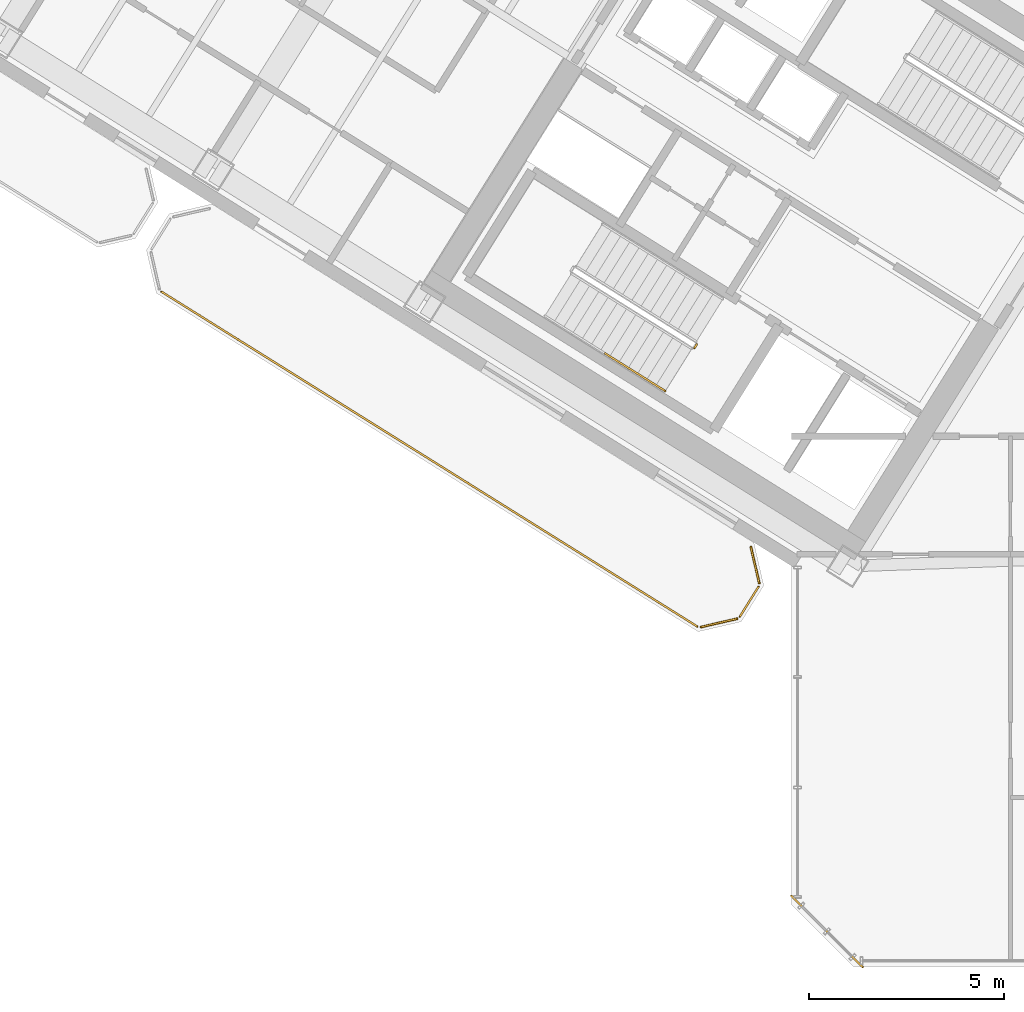
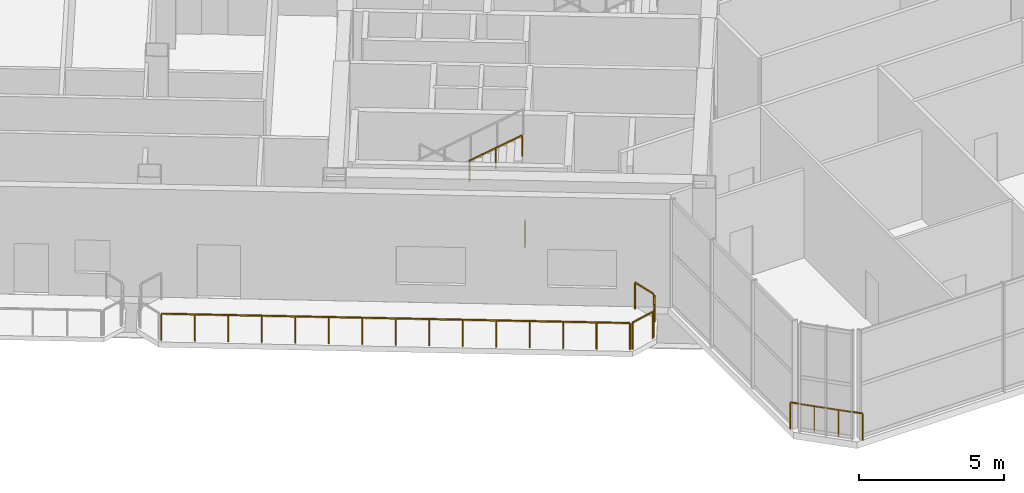
# One storey, part 18 of 21: 7 railings.
"""IFC4 building model written with IfcOpenShell, lengths in metres."""

from ifc_helpers import new_model, si_unit, direction, frame, origin, origin_2d, place, context, subcontext, project, spatial, rectangle, extrude, source, transform, mapped, material, type_object, element, save


model = new_model("IFC4")

# Units and contexts
model_context = context("Model", 3, precision=1e-05, world=origin(), true_north=direction((0.0, 1.0)))
body_context = subcontext(model_context, "Body", "Model", "MODEL_VIEW")
ifc_project = project(units=[si_unit("LENGTHUNIT", "METRE"), si_unit("AREAUNIT", "SQUARE_METRE"), si_unit("VOLUMEUNIT", "CUBIC_METRE"), si_unit("PLANEANGLEUNIT", "RADIAN"), si_unit("MASSUNIT", "GRAM", prefix="KILO")], contexts=[model_context])

# Site, building, storey
site_placement = place(None, origin())
site = spatial("IfcSite", under=ifc_project, at=site_placement, CompositionType="ELEMENT")
building_placement = place(site_placement, origin())
building = spatial("IfcBuilding", under=site, at=building_placement, Name="Tlacorven Tower", CompositionType="ELEMENT")
storey_placement = place(building_placement, frame((0.0, 0.0, 179.39990234375)))
storey = spatial("IfcBuildingStorey", under=building, at=storey_placement, Name="L45", CompositionType="ELEMENT", Elevation=179.39990234375)

# Railings
ifc_material = material(Name="Aluminium and painted steel balustrade", Category="steel")
railing_type_1 = type_object("IfcRailingType", Name="RL-GRD-1150", PredefinedType="GUARDRAIL", material=ifc_material)
shared_shape_1 = source(origin(), body_context, "Body", "SweptSolid", [
    extrude(rectangle(XDim=0.048095703125, YDim=0.048095703125, at=origin_2d()), frame((0.0, 0.0, 1.1259765625), z_axis=(-0.707106781187, 0.707106781187, 0.0), x_axis=(-0.707106781187, -0.707106781187, 0.0)), (0.0, 0.0, 1.0), 2.590087890625),
    extrude(rectangle(XDim=0.0419921875, YDim=0.0419921875, at=origin_2d()), origin(), (0.0, 0.0, 1.0), 1.101806640625),
    extrude(rectangle(XDim=0.0419921875, YDim=0.0419921875, at=origin_2d()), frame((-0.610595703125, 0.610595703125, 0.0)), (0.0, 0.0, 1.0), 1.101806640625),
    extrude(rectangle(XDim=0.0419921875, YDim=0.0419921875, at=origin_2d()), frame((-1.220947265625, 1.220947265625, 0.0)), (0.0, 0.0, 1.0), 1.101806640625),
    extrude(rectangle(XDim=0.0419921875, YDim=0.0419921875, at=origin_2d()), frame((-1.83154296875, 1.83154296875, 0.0)), (0.0, 0.0, 1.0), 1.101806640625),
])
railing_1_placement = place(storey_placement, frame((33.428955078125, 1.79736328125, 0.0)))
element("IfcRailing", 1, at=railing_1_placement, inside=storey, type_object=railing_type_1, Name="L45 Knuckle Glazed Sill Guard 1", PredefinedType="GUARDRAIL", context=body_context, shape_type="MappedRepresentation", body=[
    mapped(shared_shape_1, transform((0.0, 0.0, 0.0), scale=1.0)),
])
shared_shape_2 = source(origin(), body_context, "Body", "SweptSolid", [
    extrude(rectangle(XDim=0.048095703125, YDim=0.048095703125, at=origin_2d()), frame((0.0, 0.0, 1.1259765625), z_axis=(0.224934690535, -0.974373842523, 0.0), x_axis=(0.974373842523, 0.224934690535, 0.0)), (0.0, 0.0, 1.0), 0.94873046875),
    extrude(rectangle(XDim=0.0419921875, YDim=0.0419921875, at=origin_2d()), origin(), (0.0, 0.0, 1.0), 1.101806640625),
    extrude(rectangle(XDim=0.0419921875, YDim=0.0419921875, at=origin_2d()), frame((0.21337890625, -0.92431640625, 0.0)), (0.0, 0.0, 1.0), 1.101806640625),
])
railing_2_placement = place(storey_placement, frame((30.5625, 12.5771484375, 0.0)))
element("IfcRailing", 2, at=railing_2_placement, inside=storey, type_object=railing_type_1, Name="TER-L45-SGW Guard Railing 1", PredefinedType="GUARDRAIL", context=body_context, shape_type="MappedRepresentation", body=[
    mapped(shared_shape_2, transform((0.0, 0.0, 0.0), scale=1.0)),
])
shared_shape_3 = source(origin(), body_context, "Body", "SweptSolid", [
    extrude(rectangle(XDim=0.048095703125, YDim=0.048095703125, at=origin_2d()), frame((0.0, 0.0, 1.1259765625), z_axis=(-0.529806412759, -0.848118603144, 0.0), x_axis=(0.848118603144, -0.529806412759, 0.0)), (0.0, 0.0, 1.0), 0.911865234375),
    extrude(rectangle(XDim=0.0419921875, YDim=0.0419921875, at=origin_2d()), origin(), (0.0, 0.0, 1.0), 1.101806640625),
    extrude(rectangle(XDim=0.0419921875, YDim=0.0419921875, at=origin_2d()), frame((-0.483154296875, -0.7734375, 0.0)), (0.0, 0.0, 1.0), 1.101806640625),
])
railing_3_placement = place(storey_placement, frame((30.760498046875, 11.561767578125, 0.0)))
element("IfcRailing", 3, at=railing_3_placement, inside=storey, type_object=railing_type_1, Name="TER-L45-SGW Guard Railing 2", PredefinedType="GUARDRAIL", context=body_context, shape_type="MappedRepresentation", body=[
    mapped(shared_shape_3, transform((0.0, 0.0, 0.0), scale=1.0)),
])
shared_shape_4 = source(origin(), body_context, "Body", "SweptSolid", [
    extrude(rectangle(XDim=0.048095703125, YDim=0.048095703125, at=origin_2d()), frame((0.0, 0.0, 1.1259765625), z_axis=(-0.974360816218, -0.224991110535, 0.0), x_axis=(0.224991110535, -0.974360816218, 0.0)), (0.0, 0.0, 1.0), 0.948486328125),
    extrude(rectangle(XDim=0.0419921875, YDim=0.0419921875, at=origin_2d()), origin(), (0.0, 0.0, 1.0), 1.101806640625),
    extrude(rectangle(XDim=0.0419921875, YDim=0.0419921875, at=origin_2d()), frame((-0.924072265625, -0.21337890625, 0.0)), (0.0, 0.0, 1.0), 1.101806640625),
])
railing_4_placement = place(storey_placement, frame((30.201904296875, 10.734619140625, 0.0)))
element("IfcRailing", 4, at=railing_4_placement, inside=storey, type_object=railing_type_1, Name="TER-L45-SGW Guard Railing 3", PredefinedType="GUARDRAIL", context=body_context, shape_type="MappedRepresentation", body=[
    mapped(shared_shape_4, transform((0.0, 0.0, 0.0), scale=1.0)),
])
shared_shape_5 = source(origin(), body_context, "Body", "SweptSolid", [
    extrude(rectangle(XDim=0.048095703125, YDim=0.048095703125, at=origin_2d()), frame((0.0, 0.0, 1.1259765625), z_axis=(-0.848049045561, 0.529917744865, 0.0), x_axis=(-0.529917744865, -0.848049045561, 0.0)), (0.0, 0.0, 1.0), 16.217041015625),
    extrude(rectangle(XDim=0.0419921875, YDim=0.0419921875, at=origin_2d()), origin(), (0.0, 0.0, 1.0), 1.101806640625),
    extrude(rectangle(XDim=0.0419921875, YDim=0.0419921875, at=origin_2d()), frame((-0.982421875, 0.61376953125, 0.0)), (0.0, 0.0, 1.0), 1.101806640625),
    extrude(rectangle(XDim=0.0419921875, YDim=0.0419921875, at=origin_2d()), frame((-1.964599609375, 1.227783203125, 0.0)), (0.0, 0.0, 1.0), 1.101806640625),
    extrude(rectangle(XDim=0.0419921875, YDim=0.0419921875, at=origin_2d()), frame((-2.947021484375, 1.841552734375, 0.0)), (0.0, 0.0, 1.0), 1.101806640625),
    extrude(rectangle(XDim=0.0419921875, YDim=0.0419921875, at=origin_2d()), frame((-3.929443359375, 2.455322265625, 0.0)), (0.0, 0.0, 1.0), 1.101806640625),
    extrude(rectangle(XDim=0.0419921875, YDim=0.0419921875, at=origin_2d()), frame((-4.911865234375, 3.069091796875, 0.0)), (0.0, 0.0, 1.0), 1.101806640625),
    extrude(rectangle(XDim=0.0419921875, YDim=0.0419921875, at=origin_2d()), frame((-5.89404296875, 3.68310546875, 0.0)), (0.0, 0.0, 1.0), 1.101806640625),
    extrude(rectangle(XDim=0.0419921875, YDim=0.0419921875, at=origin_2d()), frame((-6.87646484375, 4.296875, 0.0)), (0.0, 0.0, 1.0), 1.101806640625),
    extrude(rectangle(XDim=0.0419921875, YDim=0.0419921875, at=origin_2d()), frame((-7.85888671875, 4.91064453125, 0.0)), (0.0, 0.0, 1.0), 1.101806640625),
    extrude(rectangle(XDim=0.0419921875, YDim=0.0419921875, at=origin_2d()), frame((-8.841064453125, 5.524658203125, 0.0)), (0.0, 0.0, 1.0), 1.101806640625),
    extrude(rectangle(XDim=0.0419921875, YDim=0.0419921875, at=origin_2d()), frame((-9.823486328125, 6.138427734375, 0.0)), (0.0, 0.0, 1.0), 1.101806640625),
    extrude(rectangle(XDim=0.0419921875, YDim=0.0419921875, at=origin_2d()), frame((-10.805908203125, 6.752197265625, 0.0)), (0.0, 0.0, 1.0), 1.101806640625),
    extrude(rectangle(XDim=0.0419921875, YDim=0.0419921875, at=origin_2d()), frame((-11.788330078125, 7.365966796875, 0.0)), (0.0, 0.0, 1.0), 1.101806640625),
    extrude(rectangle(XDim=0.0419921875, YDim=0.0419921875, at=origin_2d()), frame((-12.7705078125, 7.97998046875, 0.0)), (0.0, 0.0, 1.0), 1.101806640625),
    extrude(rectangle(XDim=0.0419921875, YDim=0.0419921875, at=origin_2d()), frame((-13.7529296875, 8.59375, 0.0)), (0.0, 0.0, 1.0), 1.101806640625),
])
railing_5_placement = place(storey_placement, frame((29.186767578125, 10.53662109375, 0.0)))
element("IfcRailing", 5, at=railing_5_placement, inside=storey, type_object=railing_type_1, Name="TER-L45-SGW Guard Railing 4", PredefinedType="GUARDRAIL", context=body_context, shape_type="MappedRepresentation", body=[
    mapped(shared_shape_5, transform((0.0, 0.0, 0.0), scale=1.0)),
])
railing_type_2 = type_object("IfcRailingType", Name="RL-GRD-1100", PredefinedType="GUARDRAIL", material=ifc_material)
shared_shape_6 = source(origin(), body_context, "Body", "SweptSolid", [
    extrude(rectangle(XDim=0.048095703125, YDim=0.048095703125, at=origin_2d()), frame((0.0, 0.0, 1.076171875), z_axis=(-0.529084052582, -0.848569422795, 0.0), x_axis=(0.848569422795, -0.529084052582, 0.0)), (0.0, 0.0, 1.0), 0.119873046875),
    extrude(rectangle(XDim=0.0419921875, YDim=0.0419921875, at=origin_2d()), origin(), (0.0, 0.0, 1.0), 1.052001953125),
    extrude(rectangle(XDim=0.0419921875, YDim=0.0419921875, at=origin_2d()), frame((-0.0634765625, -0.101806640625, 0.0)), (0.0, 0.0, 1.0), 1.052001953125),
])
railing_6_placement = place(storey_placement, frame((29.176513671875, 17.782958984375, 0.0)))
element("IfcRailing", 6, at=railing_6_placement, inside=storey, type_object=railing_type_2, Name="L45 ST-W1 stair guard 4", PredefinedType="GUARDRAIL", context=body_context, shape_type="MappedRepresentation", body=[
    mapped(shared_shape_6, transform((0.0, 0.0, 0.0), scale=1.0)),
])
railing_type_3 = type_object("IfcRailingType", Name="RL-HND-0900", PredefinedType="HANDRAIL", material=ifc_material)
shared_shape_7 = source(origin(), body_context, "Body", "SweptSolid", [
    extrude(rectangle(XDim=0.048095703125, YDim=0.048095703125, at=origin_2d()), frame((0.0, 0.0, 0.8759765625), z_axis=(0.723280932889, -0.45190757433, 0.522153460567), x_axis=(0.529878353595, 0.848073658589, 0.0)), (0.0, 0.0, 1.0), 2.134033203125),
    extrude(rectangle(XDim=0.0419921875, YDim=0.0419921875, at=origin_2d()), origin(), (0.0, 0.0, 1.0), 0.851806640625),
    extrude(rectangle(XDim=0.0419921875, YDim=0.0419921875, at=origin_2d()), frame((0.771728515625, -0.482177734375, 0.55712890625)), (0.0, 0.0, 1.0), 0.851806640625),
    extrude(rectangle(XDim=0.0419921875, YDim=0.0419921875, at=origin_2d()), frame((1.54345703125, -0.96435546875, 1.1142578125)), (0.0, 0.0, 1.0), 0.851806640625),
])
railing_7_placement = place(storey_placement, frame((26.822265625, 17.544189453125, 3.685791015625)))
element("IfcRailing", 7, at=railing_7_placement, inside=storey, type_object=railing_type_3, Name="L45 ST-W1 stair handrail 4", PredefinedType="HANDRAIL", context=body_context, shape_type="MappedRepresentation", body=[
    mapped(shared_shape_7, transform((0.0, 0.0, 0.0), scale=1.0)),
])

save(model, "model.ifc")
